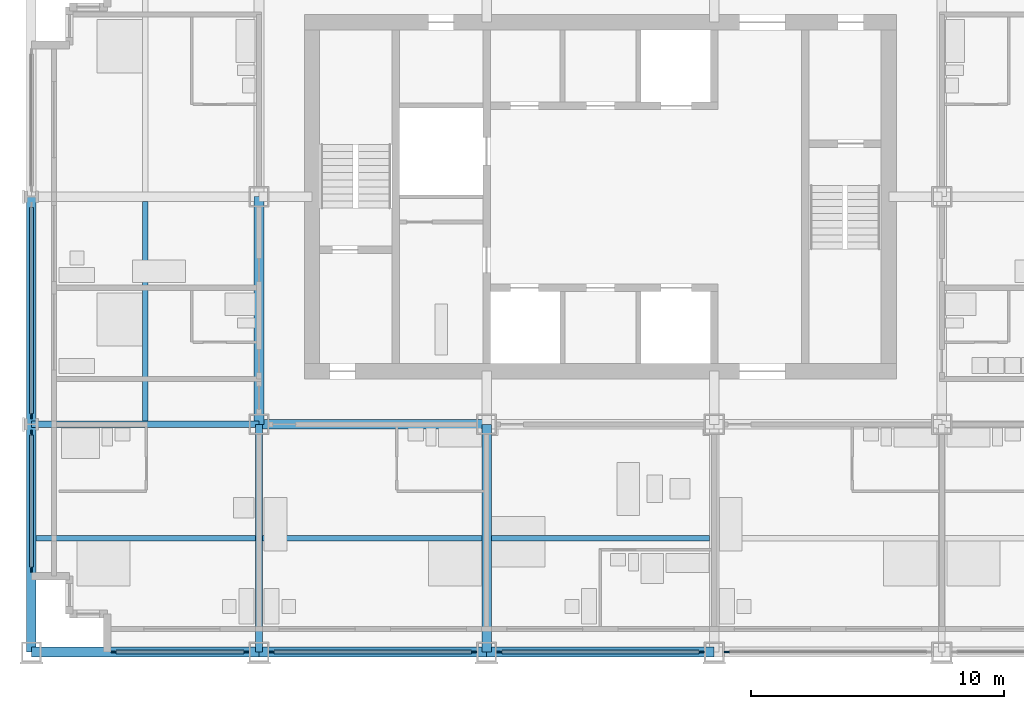
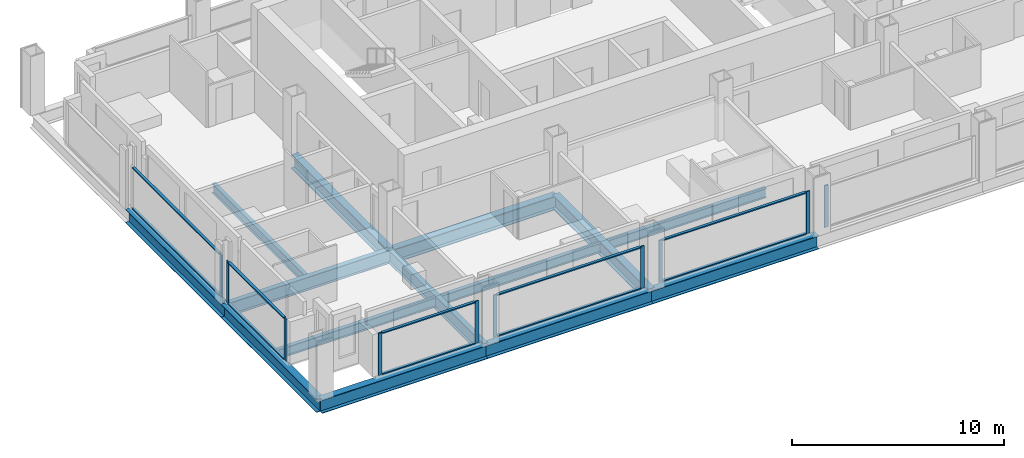
# One storey, part 2 of 13: 20 members, 14 beams, 6 elements without a shape of their own.
"""IFC4 building model written with IfcOpenShell, lengths in metres."""

from ifc_helpers import new_model, si_unit, direction, frame, origin, origin_2d, place, context, subcontext, project, spatial, rectangle, i_section, extrude, material, material_profile, profile_set, type_object, element, aggregate, save


model = new_model("IFC4")

# Units and contexts
model_context = context("Model", 3, precision=1e-05, world=origin(), true_north=direction((0.0, 1.0)))
body_context = subcontext(model_context, "Body", "Model", "MODEL_VIEW")
ifc_project = project(units=[si_unit("LENGTHUNIT", "METRE"), si_unit("AREAUNIT", "SQUARE_METRE"), si_unit("VOLUMEUNIT", "CUBIC_METRE"), si_unit("PLANEANGLEUNIT", "RADIAN"), si_unit("MASSUNIT", "GRAM", prefix="KILO")], contexts=[model_context])

# Site, building, storey
site_placement = place(None, origin())
site = spatial("IfcSite", under=ifc_project, at=site_placement, CompositionType="ELEMENT")
building_placement = place(site_placement, origin())
building = spatial("IfcBuilding", under=site, at=building_placement, Name="Loomwork Tower", CompositionType="ELEMENT")
storey_placement = place(building_placement, frame((0.0, 0.0, 177.39990234375)))
storey = spatial("IfcBuildingStorey", under=building, at=storey_placement, Name="L48", CompositionType="ELEMENT", Elevation=177.39990234375)

# Beams
ifc_material_1 = material(Name="Steel ASTM A992", Category="steel")
ifc_material_profile_1 = material_profile(ifc_material_1, i_section(OverallWidth=0.383544921875, OverallDepth=0.794921875, WebThickness=0.02099609375, FlangeThickness=0.0380859375, at=origin_2d()), Name="W30x235")
ifc_profile_set_1 = profile_set([ifc_material_profile_1], Name="Steel ASTM A992")
beam_type_1 = type_object("IfcBeamType", Name="CORE FLANK GIRDER W30x235", PredefinedType="BEAM", material=ifc_profile_set_1)
for number, where, z_axis, x_axis, name in (
    (1, (9.0, 9.0, -0.597412109375), (1.0, 0.0, 0.0), (0.0, 1.0, 0.0), "Core Flank Girder E/3-E/4 L48"),
    (2, (9.0, 9.0, -0.597412109375), (0.0, 1.0, 0.0), (-1.0, 0.0, 0.0), "Core Flank Girder E/3-F/3 L48"),
    (3, (18.0, 0.0, -0.597412109375), (0.0, 1.0, 0.0), (-1.0, 0.0, 0.0), "Core Flank Girder D/4-E/4 L48"),
):
    element("IfcBeam", number, at=place(storey_placement, frame(where, z_axis=z_axis, x_axis=x_axis)), inside=storey, type_object=beam_type_1, Name=name, PredefinedType="BEAM", context=body_context, shape_type="SweptSolid", body=[
        extrude(i_section(OverallWidth=0.383544921875, OverallDepth=0.794921875, WebThickness=0.02099609375, FlangeThickness=0.0380859375, at=origin_2d()), origin(), (0.0, 0.0, 1.0), 9.0),
    ])
ifc_material_2 = material(Name="Steel ASTM A992", Category="steel")
ifc_material_profile_2 = material_profile(ifc_material_2, i_section(OverallWidth=0.2666015625, OverallDepth=0.761962890625, WebThickness=0.014404296875, FlangeThickness=0.021484375, at=origin_2d()), Name="W30x116")
ifc_profile_set_2 = profile_set([ifc_material_profile_2], Name="Steel ASTM A992")
beam_type_2 = type_object("IfcBeamType", Name="FLOOR GIRDER W30x116", PredefinedType="BEAM", material=ifc_profile_set_2)
for number, where, z_axis, x_axis, name in (
    (4, (0.0, 9.0, -0.580810546875), (1.0, 0.0, 0.0), (0.0, 1.0, 0.0), "Floor Girder E/2-E/3 L48"),
    (5, (9.0, 0.0, -0.580810546875), (0.0, 1.0, 0.0), (-1.0, 0.0, 0.0), "Floor Girder D/3-E/3 L48"),
):
    element("IfcBeam", number, at=place(storey_placement, frame(where, z_axis=z_axis, x_axis=x_axis)), inside=storey, type_object=beam_type_2, Name=name, PredefinedType="BEAM", context=body_context, shape_type="SweptSolid", body=[
        extrude(i_section(OverallWidth=0.2666015625, OverallDepth=0.761962890625, WebThickness=0.014404296875, FlangeThickness=0.021484375, at=origin_2d()), origin(), (0.0, 0.0, 1.0), 9.0),
    ])
ifc_material_3 = material(Name="Steel ASTM A992", Category="steel")
ifc_material_profile_3 = material_profile(ifc_material_3, i_section(OverallWidth=0.2109375, OverallDepth=0.53857421875, WebThickness=0.011474609375, FlangeThickness=0.018798828125, at=origin_2d()), Name="W21x73")
ifc_profile_set_3 = profile_set([ifc_material_profile_3], Name="Steel ASTM A992")
beam_type_3 = type_object("IfcBeamType", Name="FLOOR JOIST W21x73", PredefinedType="JOIST", material=ifc_profile_set_3)
beam_1_placement = place(storey_placement, frame((0.18994140625, 4.5, -0.46923828125), z_axis=(1.0, 0.0, 0.0), x_axis=(0.0, 1.0, 0.0)))
element("IfcBeam", 6, at=beam_1_placement, inside=storey, type_object=beam_type_3, Name="Floor Joist 0.000,4.500-9.000,4.500 L48", PredefinedType="JOIST", context=body_context, shape_type="SweptSolid", body=[
    extrude(i_section(OverallWidth=0.2109375, OverallDepth=0.53857421875, WebThickness=0.011474609375, FlangeThickness=0.018798828125, at=origin_2d()), origin(), (0.0, 0.0, 1.0), 8.677001953125),
])
for number, where, z_axis, x_axis, name in (
    (7, (4.5, 9.133056640625, -0.46923828125), (0.0, 1.0, 0.0), (-1.0, 0.0, 0.0), "Floor Joist 4.500,9.000-4.500,18.000 L48"),
    (8, (9.133056640625, 4.5, -0.46923828125), (1.0, 0.0, 0.0), (0.0, 1.0, 0.0), "Floor Joist 9.000,4.500-18.000,4.500 L48"),
):
    element("IfcBeam", number, at=place(storey_placement, frame(where, z_axis=z_axis, x_axis=x_axis)), inside=storey, type_object=beam_type_3, Name=name, PredefinedType="JOIST", context=body_context, shape_type="SweptSolid", body=[
        extrude(i_section(OverallWidth=0.2109375, OverallDepth=0.53857421875, WebThickness=0.011474609375, FlangeThickness=0.018798828125, at=origin_2d()), origin(), (0.0, 0.0, 1.0), 8.676025390625),
    ])
beam_2_placement = place(storey_placement, frame((18.19091796875, 4.5, -0.46923828125), z_axis=(1.0, 0.0, 0.0), x_axis=(0.0, 1.0, 0.0)))
element("IfcBeam", 9, at=beam_2_placement, inside=storey, type_object=beam_type_3, Name="Floor Joist 18.000,4.500-27.000,4.500 L48", PredefinedType="JOIST", context=body_context, shape_type="SweptSolid", body=[
    extrude(i_section(OverallWidth=0.2109375, OverallDepth=0.53857421875, WebThickness=0.011474609375, FlangeThickness=0.018798828125, at=origin_2d()), origin(), (0.0, 0.0, 1.0), 8.6181640625),
])

# Curtain wall, members
ifc_material_4 = material(Name="Aluminium curtain wall frame", Category="aluminium")
curtain_wall_type = type_object("IfcCurtainWallType", Name="Outer skin glazing hotel", PredefinedType="NOTDEFINED", material=ifc_material_4)
curtain_wall_1_placement = place(storey_placement, origin())
curtain_wall_1 = element("IfcCurtainWall", 10, at=curtain_wall_1_placement, inside=storey, type_object=curtain_wall_type, Name="Outer skin glazing hotel cw/S-0", PredefinedType="NOTDEFINED")
ifc_material_5 = material(Name="Aluminium curtain wall frame", Category="aluminium")
ifc_material_profile_4 = material_profile(ifc_material_5, rectangle(XDim=0.06494140625, YDim=0.199951171875, at=origin_2d()), Name="AL 65x200")
ifc_profile_set_4 = profile_set([ifc_material_profile_4], Name="Aluminium curtain wall frame")
member_type_1 = type_object("IfcMemberType", Name="Outer skin glazing hotel mullion", PredefinedType="MULLION", material=ifc_profile_set_4)
member_1_placement = place(storey_placement, frame((3.25, 0.0, 0.0), z_axis=(0.0, 0.0, 1.0), x_axis=(0.0, 1.0, 0.0)))
member_1 = element("IfcMember", 11, at=member_1_placement, type_object=member_type_1, Name="CW1 mullion 1", PredefinedType="MULLION", context=body_context, shape_type="SweptSolid", body=[
    extrude(rectangle(XDim=0.06494140625, YDim=0.199951171875, at=origin_2d()), origin(), (0.0, 0.0, 1.0), 2.42041015625),
])
member_2_placement = place(storey_placement, frame((8.5, 0.0, 0.0), z_axis=(0.0, 0.0, 1.0), x_axis=(0.0, 1.0, 0.0)))
member_2 = element("IfcMember", 12, at=member_2_placement, type_object=member_type_1, Name="CW1 mullion 2", PredefinedType="MULLION", context=body_context, shape_type="SweptSolid", body=[
    extrude(rectangle(XDim=0.06494140625, YDim=0.199951171875, at=origin_2d()), origin(), (0.0, 0.0, 1.0), 2.42041015625),
])

curtain_wall_2_placement = place(storey_placement, origin())
curtain_wall_2 = element("IfcCurtainWall", 13, at=curtain_wall_2_placement, inside=storey, type_object=curtain_wall_type, Name="Outer skin glazing hotel cw/S-9", PredefinedType="NOTDEFINED")
member_3_placement = place(storey_placement, frame((9.5, 0.0, 0.0), z_axis=(0.0, 0.0, 1.0), x_axis=(0.0, 1.0, 0.0)))
member_3 = element("IfcMember", 14, at=member_3_placement, type_object=member_type_1, Name="CW1 mullion 1", PredefinedType="MULLION", context=body_context, shape_type="SweptSolid", body=[
    extrude(rectangle(XDim=0.06494140625, YDim=0.199951171875, at=origin_2d()), origin(), (0.0, 0.0, 1.0), 2.42041015625),
])
member_4_placement = place(storey_placement, frame((17.5, 0.0, 0.0), z_axis=(0.0, 0.0, 1.0), x_axis=(0.0, 1.0, 0.0)))
member_4 = element("IfcMember", 15, at=member_4_placement, type_object=member_type_1, Name="CW1 mullion 2", PredefinedType="MULLION", context=body_context, shape_type="SweptSolid", body=[
    extrude(rectangle(XDim=0.06494140625, YDim=0.199951171875, at=origin_2d()), origin(), (0.0, 0.0, 1.0), 2.42041015625),
])

curtain_wall_3_placement = place(storey_placement, origin())
curtain_wall_3 = element("IfcCurtainWall", 16, at=curtain_wall_3_placement, inside=storey, type_object=curtain_wall_type, Name="Outer skin glazing hotel cw/S-18", PredefinedType="NOTDEFINED")
member_5_placement = place(storey_placement, frame((18.5, 0.0, 0.0), z_axis=(0.0, 0.0, 1.0), x_axis=(0.0, 1.0, 0.0)))
member_5 = element("IfcMember", 17, at=member_5_placement, type_object=member_type_1, Name="CW1 mullion 1", PredefinedType="MULLION", context=body_context, shape_type="SweptSolid", body=[
    extrude(rectangle(XDim=0.06494140625, YDim=0.199951171875, at=origin_2d()), origin(), (0.0, 0.0, 1.0), 2.42041015625),
])
member_6_placement = place(storey_placement, frame((26.5, 0.0, 0.0), z_axis=(0.0, 0.0, 1.0), x_axis=(0.0, 1.0, 0.0)))
member_6 = element("IfcMember", 18, at=member_6_placement, type_object=member_type_1, Name="CW1 mullion 2", PredefinedType="MULLION", context=body_context, shape_type="SweptSolid", body=[
    extrude(rectangle(XDim=0.06494140625, YDim=0.199951171875, at=origin_2d()), origin(), (0.0, 0.0, 1.0), 2.42041015625),
])

# Curtain wall, member
curtain_wall_4_placement = place(storey_placement, origin())
curtain_wall_4 = element("IfcCurtainWall", 19, at=curtain_wall_4_placement, inside=storey, type_object=curtain_wall_type, Name="Outer skin glazing hotel cw/S-27", PredefinedType="NOTDEFINED")
member_7_placement = place(storey_placement, frame((27.5, 0.0, 0.0), z_axis=(0.0, 0.0, 1.0), x_axis=(0.0, 1.0, 0.0)))
member_7 = element("IfcMember", 20, at=member_7_placement, type_object=member_type_1, Name="CW1 mullion 1", PredefinedType="MULLION", context=body_context, shape_type="SweptSolid", body=[
    extrude(rectangle(XDim=0.06494140625, YDim=0.199951171875, at=origin_2d()), origin(), (0.0, 0.0, 1.0), 2.42041015625),
])
aggregate(curtain_wall_4, [member_7])

# Curtain wall, members
curtain_wall_5_placement = place(storey_placement, origin())
curtain_wall_5 = element("IfcCurtainWall", 21, at=curtain_wall_5_placement, inside=storey, type_object=curtain_wall_type, Name="Outer skin glazing hotel cw/W-0", PredefinedType="NOTDEFINED")
member_8_placement = place(storey_placement, frame((0.0, 8.67529296875, 0.0), z_axis=(0.0, 0.0, 1.0), x_axis=(1.0, 0.0, 0.0)))
member_8 = element("IfcMember", 22, at=member_8_placement, type_object=member_type_1, Name="CW1 mullion 1", PredefinedType="MULLION", context=body_context, shape_type="SweptSolid", body=[
    extrude(rectangle(XDim=0.06494140625, YDim=0.199951171875, at=origin_2d()), origin(), (0.0, 0.0, 1.0), 2.42041015625),
])
member_9_placement = place(storey_placement, frame((0.0, 3.25, 0.0), z_axis=(0.0, 0.0, 1.0), x_axis=(1.0, 0.0, 0.0)))
member_9 = element("IfcMember", 23, at=member_9_placement, type_object=member_type_1, Name="CW1 mullion 2", PredefinedType="MULLION", context=body_context, shape_type="SweptSolid", body=[
    extrude(rectangle(XDim=0.06494140625, YDim=0.199951171875, at=origin_2d()), origin(), (0.0, 0.0, 1.0), 2.42041015625),
])

# Curtain wall, member
curtain_wall_6_placement = place(storey_placement, origin())
curtain_wall_6 = element("IfcCurtainWall", 24, at=curtain_wall_6_placement, inside=storey, type_object=curtain_wall_type, Name="Outer skin glazing hotel cw/W-9", PredefinedType="NOTDEFINED")
member_10_placement = place(storey_placement, frame((0.0, 9.32470703125, 0.0), z_axis=(0.0, 0.0, 1.0), x_axis=(1.0, 0.0, 0.0)))
member_10 = element("IfcMember", 25, at=member_10_placement, type_object=member_type_1, Name="CW1 mullion 2", PredefinedType="MULLION", context=body_context, shape_type="SweptSolid", body=[
    extrude(rectangle(XDim=0.06494140625, YDim=0.199951171875, at=origin_2d()), origin(), (0.0, 0.0, 1.0), 2.42041015625),
])

# Member
ifc_material_6 = material(Name="Aluminium curtain wall frame", Category="aluminium")
ifc_material_profile_5 = material_profile(ifc_material_6, rectangle(XDim=0.14990234375, YDim=0.06494140625, at=origin_2d()), Name="AL 65x150")
ifc_profile_set_5 = profile_set([ifc_material_profile_5], Name="Aluminium curtain wall frame")
member_type_2 = type_object("IfcMemberType", Name="Outer skin glazing hotel transom", PredefinedType="USERDEFINED", material=ifc_profile_set_5)
member_11_placement = place(storey_placement, frame((3.35009765625, 0.0, 0.03271484375), z_axis=(1.0, 0.0, 0.0), x_axis=(0.0, 1.0, 0.0)))
member_11 = element("IfcMember", 26, at=member_11_placement, type_object=member_type_2, Name="CW1 transom 1.1", ObjectType="TRANSOM", PredefinedType="USERDEFINED", context=body_context, shape_type="SweptSolid", body=[
    extrude(rectangle(XDim=0.14990234375, YDim=0.06494140625, at=origin_2d()), origin(), (0.0, 0.0, 1.0), 5.0498046875),
])

member_12_placement = place(storey_placement, frame((3.35009765625, 0.0, 2.3876953125), z_axis=(1.0, 0.0, 0.0), x_axis=(0.0, 1.0, 0.0)))
member_12 = element("IfcMember", 27, at=member_12_placement, type_object=member_type_2, Name="CW1 transom 1.2", ObjectType="TRANSOM", PredefinedType="USERDEFINED", context=body_context, shape_type="SweptSolid", body=[
    extrude(rectangle(XDim=0.14990234375, YDim=0.06494140625, at=origin_2d()), origin(), (0.0, 0.0, 1.0), 5.0498046875),
])

aggregate(curtain_wall_1, [member_1, member_2, member_11, member_12])

member_13_placement = place(storey_placement, frame((9.60009765625, 0.0, 0.03271484375), z_axis=(1.0, 0.0, 0.0), x_axis=(0.0, 1.0, 0.0)))
member_13 = element("IfcMember", 28, at=member_13_placement, type_object=member_type_2, Name="CW1 transom 1.1", ObjectType="TRANSOM", PredefinedType="USERDEFINED", context=body_context, shape_type="SweptSolid", body=[
    extrude(rectangle(XDim=0.14990234375, YDim=0.06494140625, at=origin_2d()), origin(), (0.0, 0.0, 1.0), 7.7998046875),
])

member_14_placement = place(storey_placement, frame((9.60009765625, 0.0, 2.3876953125), z_axis=(1.0, 0.0, 0.0), x_axis=(0.0, 1.0, 0.0)))
member_14 = element("IfcMember", 29, at=member_14_placement, type_object=member_type_2, Name="CW1 transom 1.2", ObjectType="TRANSOM", PredefinedType="USERDEFINED", context=body_context, shape_type="SweptSolid", body=[
    extrude(rectangle(XDim=0.14990234375, YDim=0.06494140625, at=origin_2d()), origin(), (0.0, 0.0, 1.0), 7.7998046875),
])

aggregate(curtain_wall_2, [member_3, member_4, member_13, member_14])

member_15_placement = place(storey_placement, frame((18.60009765625, 0.0, 0.03271484375), z_axis=(1.0, 0.0, 0.0), x_axis=(0.0, 1.0, 0.0)))
member_15 = element("IfcMember", 30, at=member_15_placement, type_object=member_type_2, Name="CW1 transom 1.1", ObjectType="TRANSOM", PredefinedType="USERDEFINED", context=body_context, shape_type="SweptSolid", body=[
    extrude(rectangle(XDim=0.14990234375, YDim=0.06494140625, at=origin_2d()), origin(), (0.0, 0.0, 1.0), 7.7998046875),
])

member_16_placement = place(storey_placement, frame((18.60009765625, 0.0, 2.3876953125), z_axis=(1.0, 0.0, 0.0), x_axis=(0.0, 1.0, 0.0)))
member_16 = element("IfcMember", 31, at=member_16_placement, type_object=member_type_2, Name="CW1 transom 1.2", ObjectType="TRANSOM", PredefinedType="USERDEFINED", context=body_context, shape_type="SweptSolid", body=[
    extrude(rectangle(XDim=0.14990234375, YDim=0.06494140625, at=origin_2d()), origin(), (0.0, 0.0, 1.0), 7.7998046875),
])

aggregate(curtain_wall_3, [member_5, member_6, member_15, member_16])

member_17_placement = place(storey_placement, frame((0.0, 8.5751953125, 0.03271484375), z_axis=(0.0, -1.0, 0.0), x_axis=(1.0, 0.0, 0.0)))
member_17 = element("IfcMember", 32, at=member_17_placement, type_object=member_type_2, Name="CW1 transom 1.1", ObjectType="TRANSOM", PredefinedType="USERDEFINED", context=body_context, shape_type="SweptSolid", body=[
    extrude(rectangle(XDim=0.14990234375, YDim=0.06494140625, at=origin_2d()), origin(), (0.0, 0.0, 1.0), 5.22509765625),
])

member_18_placement = place(storey_placement, frame((0.0, 8.5751953125, 2.3876953125), z_axis=(0.0, -1.0, 0.0), x_axis=(1.0, 0.0, 0.0)))
member_18 = element("IfcMember", 33, at=member_18_placement, type_object=member_type_2, Name="CW1 transom 1.2", ObjectType="TRANSOM", PredefinedType="USERDEFINED", context=body_context, shape_type="SweptSolid", body=[
    extrude(rectangle(XDim=0.14990234375, YDim=0.06494140625, at=origin_2d()), origin(), (0.0, 0.0, 1.0), 5.22509765625),
])

aggregate(curtain_wall_5, [member_8, member_9, member_17, member_18])

member_19_placement = place(storey_placement, frame((0.0, 17.5751953125, 0.03271484375), z_axis=(0.0, -1.0, 0.0), x_axis=(1.0, 0.0, 0.0)))
member_19 = element("IfcMember", 34, at=member_19_placement, type_object=member_type_2, Name="CW1 transom 1.1", ObjectType="TRANSOM", PredefinedType="USERDEFINED", context=body_context, shape_type="SweptSolid", body=[
    extrude(rectangle(XDim=0.14990234375, YDim=0.06494140625, at=origin_2d()), origin(), (0.0, 0.0, 1.0), 8.150390625),
])

member_20_placement = place(storey_placement, frame((0.0, 17.5751953125, 2.3876953125), z_axis=(0.0, -1.0, 0.0), x_axis=(1.0, 0.0, 0.0)))
member_20 = element("IfcMember", 35, at=member_20_placement, type_object=member_type_2, Name="CW1 transom 1.2", ObjectType="TRANSOM", PredefinedType="USERDEFINED", context=body_context, shape_type="SweptSolid", body=[
    extrude(rectangle(XDim=0.14990234375, YDim=0.06494140625, at=origin_2d()), origin(), (0.0, 0.0, 1.0), 8.150390625),
])

aggregate(curtain_wall_6, [member_10, member_19, member_20])

# Beams
ifc_material_7 = material(Name="Steel ASTM A992", Category="steel")
ifc_material_profile_6 = material_profile(ifc_material_7, i_section(OverallWidth=0.381103515625, OverallDepth=0.77978515625, WebThickness=0.01806640625, FlangeThickness=0.0302734375, at=origin_2d()), Name="W30x191")
ifc_profile_set_6 = profile_set([ifc_material_profile_6], Name="Steel ASTM A992")
beam_type_4 = type_object("IfcBeamType", Name="SPANDREL GIRDER W30x191", PredefinedType="SPANDREL", material=ifc_profile_set_6)
for number, where, z_axis, x_axis, name in (
    (36, (0.0, 0.0, -0.58984375), (1.0, 0.0, 0.0), (0.0, 1.0, 0.0), "Spandrel Girder D/2-D/3 L48"),
    (37, (9.0, 0.0, -0.58984375), (1.0, 0.0, 0.0), (0.0, 1.0, 0.0), "Spandrel Girder D/3-D/4 L48"),
    (38, (18.0, 0.0, -0.58984375), (1.0, 0.0, 0.0), (0.0, 1.0, 0.0), "Spandrel Girder D/4-D/5 L48"),
    (39, (0.0, 0.0, -0.58984375), (0.0, 1.0, 0.0), (-1.0, 0.0, 0.0), "Spandrel Girder D/2-E/2 L48"),
    (40, (0.0, 9.0, -0.58984375), (0.0, 1.0, 0.0), (-1.0, 0.0, 0.0), "Spandrel Girder E/2-F/2 L48"),
):
    element("IfcBeam", number, at=place(storey_placement, frame(where, z_axis=z_axis, x_axis=x_axis)), inside=storey, type_object=beam_type_4, Name=name, PredefinedType="SPANDREL", context=body_context, shape_type="SweptSolid", body=[
        extrude(i_section(OverallWidth=0.381103515625, OverallDepth=0.77978515625, WebThickness=0.01806640625, FlangeThickness=0.0302734375, at=origin_2d()), origin(), (0.0, 0.0, 1.0), 9.0),
    ])

save(model, "model.ifc")
